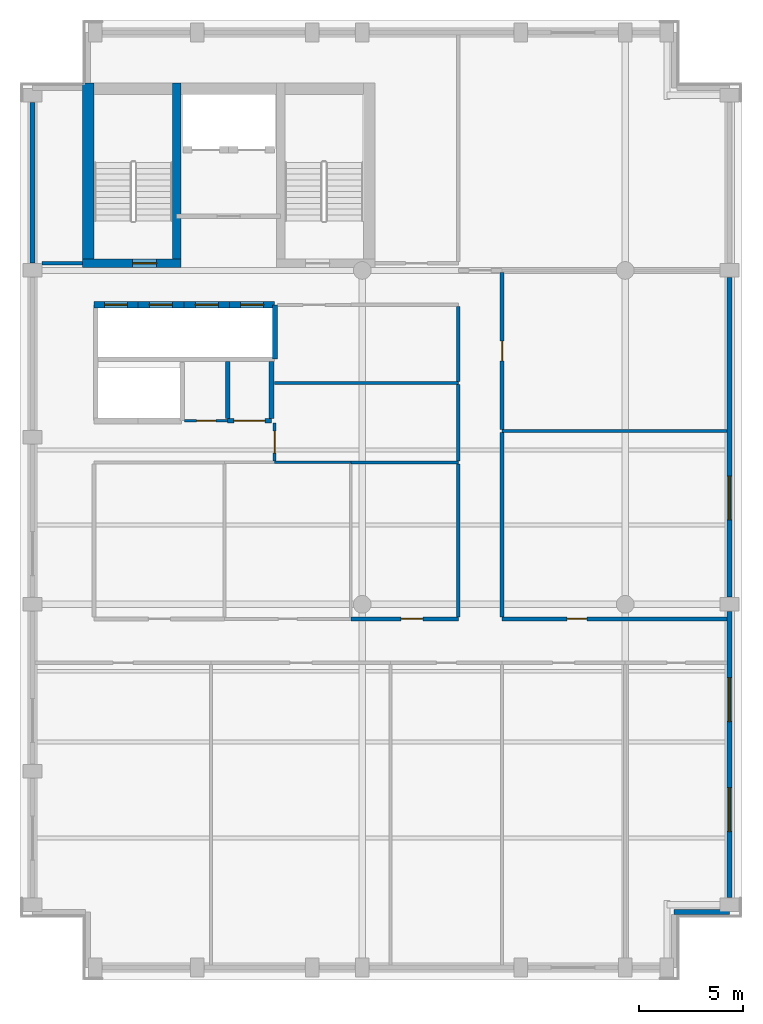
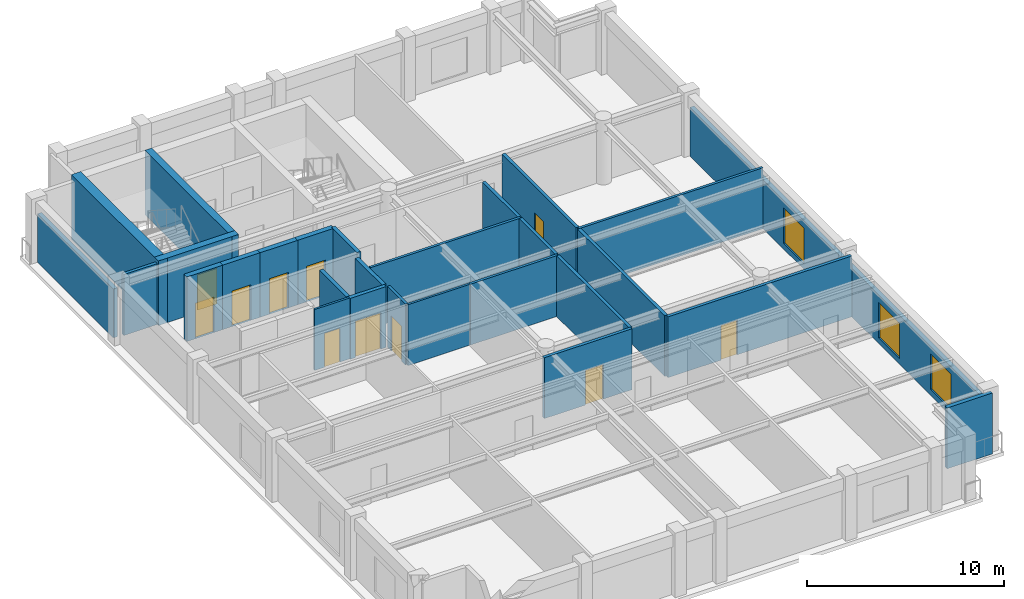
# One storey, part 3 of 6: 29 walls, 11 doors, 3 windows, 14 openings.
"""IFC4 building model written with IfcOpenShell, lengths in metres."""

from ifc_helpers import new_model, si_unit, direction, frame, frame_2d, origin, place, context, subcontext, project, spatial, rectangle, extrude, material, layer, layer_set, type_object, element, fill, save


model = new_model("IFC4")

# Units and contexts
model_context = context("Model", 3, precision=1e-05, world=origin(), true_north=direction((0.0, 1.0)))
body_context = subcontext(model_context, "Body", "Model", "MODEL_VIEW")
ifc_project = project(units=[si_unit("LENGTHUNIT", "METRE"), si_unit("AREAUNIT", "SQUARE_METRE"), si_unit("VOLUMEUNIT", "CUBIC_METRE"), si_unit("PLANEANGLEUNIT", "RADIAN"), si_unit("MASSUNIT", "GRAM", prefix="KILO")], contexts=[model_context])

# Site, building, storey
site_placement = place(None, origin())
site = spatial("IfcSite", under=ifc_project, at=site_placement, CompositionType="ELEMENT")
building_placement = place(site_placement, origin())
building = spatial("IfcBuilding", under=site, at=building_placement, Name="Sulina Concourse Tower", CompositionType="ELEMENT")
storey_placement = place(building_placement, frame((0.0, 0.0, 309.0)))
storey = spatial("IfcBuildingStorey", under=building, at=storey_placement, Name="L75", CompositionType="ELEMENT", Elevation=309.0)

# Wall
ifc_material_1 = material(Name="Concrete C50/60", Category="concrete")
ifc_layer_1 = layer(ifc_material_1, 0.219970703125)
ifc_layer_set_1 = layer_set([ifc_layer_1], Name="Concrete C50/60")
wall_type_1 = type_object("IfcWallType", Name="Core Lift Hoistway Divider Wall 220mm", PredefinedType="SOLIDWALL", material=ifc_layer_set_1)
wall_1_placement = place(storey_placement, frame((12.219970703125, 29.75, 0.0), z_axis=(0.0, 0.0, 1.0), x_axis=(0.0, 1.0, 0.0)))
element("IfcWall", 1, at=wall_1_placement, inside=storey, type_object=wall_type_1, Name="L75 shaft divider wall HW-LP3-E", PredefinedType="SOLIDWALL", context=body_context, shape_type="SweptSolid", body=[
    extrude(rectangle(XDim=2.60009765625, YDim=0.219970703125, at=frame_2d((1.300048828125, 0.0))), origin(), (0.0, 0.0, 1.0), 4.0),
])

# Wall, opening, door
ifc_material_2 = material(Name="Concrete C50/60", Category="concrete")
ifc_layer_2 = layer(ifc_material_2, 0.300048828125)
ifc_layer_set_2 = layer_set([ifc_layer_2], Name="Concrete C50/60")
wall_type_2 = type_object("IfcWallType", Name="Core Lift Hoistway Wall 300mm", PredefinedType="SOLIDWALL", material=ifc_layer_set_2)
wall_2_placement = place(storey_placement, frame((3.550048828125, 32.35009765625, 0.0), z_axis=(0.0, 0.0, 1.0), x_axis=(1.0, 0.0, 0.0)))
wall_2 = element("IfcWall", 2, at=wall_2_placement, inside=storey, type_object=wall_type_2, Name="L75 hoistway enclosure wall LP-09", PredefinedType="SOLIDWALL", context=body_context, shape_type="SweptSolid", body=[
    extrude(rectangle(XDim=2.099853515625, YDim=0.300048828125, at=frame_2d((1.0498046875, 0.0))), origin(), (0.0, 0.0, 1.0), 4.0),
])
opening_1_placement = place(wall_2_placement, frame((0.5, 0.0, 0.0)))
opening_1 = element("IfcOpeningElement", 3, at=opening_1_placement, cuts=wall_2, Name="Opening LD-01", PredefinedType="OPENING", context=body_context, shape_type="SweptSolid", body=[
    extrude(rectangle(XDim=1.10009765625, YDim=2.199951171875, at=frame_2d((0.550048828125, 1.10009765625))), frame((0.0, 0.159912109375, 0.0), z_axis=(0.0, -1.0, 0.0), x_axis=(1.0, 0.0, 0.0)), (0.0, 0.0, 1.0), 0.320068359375),
])
ifc_material_3 = material(Name="Stainless steel lift landing door", Category="steel")
ifc_layer_3 = layer(ifc_material_3, 0.050048828125)
ifc_layer_set_3 = layer_set([ifc_layer_3], Name="Stainless steel lift landing door")
door_type_1 = type_object("IfcDoorType", Name="Passenger Lift Sliding Landing Door 1100x2200", OperationType="SLIDING_TO_LEFT", PredefinedType="DOOR", material=ifc_layer_set_3)
door_1_placement = place(opening_1_placement, origin())
door_1 = element("IfcDoor", 4, at=door_1_placement, inside=storey, type_object=door_type_1, Name="L75 lift landing sliding door LP-09", OperationType="SLIDING_TO_LEFT", OverallHeight=2.199951171875, OverallWidth=1.10009765625, PredefinedType="DOOR", context=body_context, shape_type="SweptSolid", body=[
    extrude(rectangle(XDim=1.10009765625, YDim=2.199951171875, at=frame_2d((0.550048828125, 1.10009765625))), frame((0.0, 0.02490234375, 0.0), z_axis=(0.0, -1.0, 0.0), x_axis=(1.0, 0.0, 0.0)), (0.0, 0.0, 1.0), 0.050048828125),
])
fill(opening_1, door_1)

wall_3_placement = place(storey_placement, frame((5.64990234375, 32.35009765625, 0.0), z_axis=(0.0, 0.0, 1.0), x_axis=(1.0, 0.0, 0.0)))
wall_3 = element("IfcWall", 5, at=wall_3_placement, inside=storey, type_object=wall_type_2, Name="L75 hoistway enclosure wall LP-10", PredefinedType="SOLIDWALL", context=body_context, shape_type="SweptSolid", body=[
    extrude(rectangle(XDim=2.2001953125, YDim=0.300048828125, at=frame_2d((1.10009765625, 0.0))), origin(), (0.0, 0.0, 1.0), 4.0),
])
opening_2_placement = place(wall_3_placement, frame((0.550048828125, 0.0, 0.0)))
opening_2 = element("IfcOpeningElement", 6, at=opening_2_placement, cuts=wall_3, Name="Opening LD-01", PredefinedType="OPENING", context=body_context, shape_type="SweptSolid", body=[
    extrude(rectangle(XDim=1.10009765625, YDim=2.199951171875, at=frame_2d((0.550048828125, 1.10009765625))), frame((0.0, 0.159912109375, 0.0), z_axis=(0.0, -1.0, 0.0), x_axis=(1.0, 0.0, 0.0)), (0.0, 0.0, 1.0), 0.320068359375),
])
door_2_placement = place(opening_2_placement, origin())
door_2 = element("IfcDoor", 7, at=door_2_placement, inside=storey, type_object=door_type_1, Name="L75 lift landing sliding door LP-10", OperationType="SLIDING_TO_RIGHT", OverallHeight=2.199951171875, OverallWidth=1.10009765625, PredefinedType="DOOR", context=body_context, shape_type="SweptSolid", body=[
    extrude(rectangle(XDim=1.10009765625, YDim=2.199951171875, at=frame_2d((0.550048828125, 1.10009765625))), frame((0.0, 0.02490234375, 0.0), z_axis=(0.0, -1.0, 0.0), x_axis=(1.0, 0.0, 0.0)), (0.0, 0.0, 1.0), 0.050048828125),
])
fill(opening_2, door_2)

wall_4_placement = place(storey_placement, frame((7.85009765625, 32.35009765625, 0.0), z_axis=(0.0, 0.0, 1.0), x_axis=(1.0, 0.0, 0.0)))
wall_4 = element("IfcWall", 8, at=wall_4_placement, inside=storey, type_object=wall_type_2, Name="L75 hoistway enclosure wall LP-11", PredefinedType="SOLIDWALL", context=body_context, shape_type="SweptSolid", body=[
    extrude(rectangle(XDim=2.199951171875, YDim=0.300048828125, at=frame_2d((1.10009765625, 0.0))), origin(), (0.0, 0.0, 1.0), 4.0),
])
opening_3_placement = place(wall_4_placement, frame((0.550048828125, 0.0, 0.0)))
opening_3 = element("IfcOpeningElement", 9, at=opening_3_placement, cuts=wall_4, Name="Opening LD-01", PredefinedType="OPENING", context=body_context, shape_type="SweptSolid", body=[
    extrude(rectangle(XDim=1.10009765625, YDim=2.199951171875, at=frame_2d((0.550048828125, 1.10009765625))), frame((0.0, 0.159912109375, 0.0), z_axis=(0.0, -1.0, 0.0), x_axis=(1.0, 0.0, 0.0)), (0.0, 0.0, 1.0), 0.320068359375),
])
door_3_placement = place(opening_3_placement, origin())
door_3 = element("IfcDoor", 10, at=door_3_placement, inside=storey, type_object=door_type_1, Name="L75 lift landing sliding door LP-11", OperationType="SLIDING_TO_LEFT", OverallHeight=2.199951171875, OverallWidth=1.10009765625, PredefinedType="DOOR", context=body_context, shape_type="SweptSolid", body=[
    extrude(rectangle(XDim=1.10009765625, YDim=2.199951171875, at=frame_2d((0.550048828125, 1.10009765625))), frame((0.0, 0.02490234375, 0.0), z_axis=(0.0, -1.0, 0.0), x_axis=(1.0, 0.0, 0.0)), (0.0, 0.0, 1.0), 0.050048828125),
])
fill(opening_3, door_3)

wall_5_placement = place(storey_placement, frame((10.050048828125, 32.35009765625, 0.0), z_axis=(0.0, 0.0, 1.0), x_axis=(1.0, 0.0, 0.0)))
wall_5 = element("IfcWall", 11, at=wall_5_placement, inside=storey, type_object=wall_type_2, Name="L75 hoistway enclosure wall LP-12", PredefinedType="SOLIDWALL", context=body_context, shape_type="SweptSolid", body=[
    extrude(rectangle(XDim=2.14990234375, YDim=0.300048828125, at=frame_2d((1.074951171875, 0.0))), origin(), (0.0, 0.0, 1.0), 4.0),
])
opening_4_placement = place(wall_5_placement, frame((0.52490234375, 0.0, 0.0)))
opening_4 = element("IfcOpeningElement", 12, at=opening_4_placement, cuts=wall_5, Name="Opening LD-01", PredefinedType="OPENING", context=body_context, shape_type="SweptSolid", body=[
    extrude(rectangle(XDim=1.10009765625, YDim=2.199951171875, at=frame_2d((0.550048828125, 1.10009765625))), frame((0.0, 0.159912109375, 0.0), z_axis=(0.0, -1.0, 0.0), x_axis=(1.0, 0.0, 0.0)), (0.0, 0.0, 1.0), 0.320068359375),
])
door_4_placement = place(opening_4_placement, origin())
door_4 = element("IfcDoor", 13, at=door_4_placement, inside=storey, type_object=door_type_1, Name="L75 lift landing sliding door LP-12", OperationType="SLIDING_TO_RIGHT", OverallHeight=2.199951171875, OverallWidth=1.10009765625, PredefinedType="DOOR", context=body_context, shape_type="SweptSolid", body=[
    extrude(rectangle(XDim=1.10009765625, YDim=2.199951171875, at=frame_2d((0.550048828125, 1.10009765625))), frame((0.0, 0.02490234375, 0.0), z_axis=(0.0, -1.0, 0.0), x_axis=(1.0, 0.0, 0.0)), (0.0, 0.0, 1.0), 0.050048828125),
])
fill(opening_4, door_4)

# Wall
ifc_material_4 = material(Name="Precast concrete C50/60", Category="concrete")
ifc_layer_4 = layer(ifc_material_4, 0.239990234375)
ifc_layer_set_4 = layer_set([ifc_layer_4], Name="Precast concrete C50/60")
wall_type_3 = type_object("IfcWallType", Name="Crown Precast Masonry-Frame Facade Wall 240mm", PredefinedType="SOLIDWALL", material=ifc_layer_set_4)
wall_6_placement = place(storey_placement, frame((0.60009765625, 34.344970703125, 0.0), z_axis=(0.0, 0.0, 1.0), x_axis=(0.0, 1.0, 0.0)))
element("IfcWall", 14, at=wall_6_placement, inside=storey, type_object=wall_type_3, Name="L75 exterior precast wall W5", PredefinedType="SOLIDWALL", context=body_context, shape_type="SweptSolid", body=[
    extrude(rectangle(XDim=7.7099609375, YDim=0.239990234375, at=frame_2d((3.85498046875, 0.0))), origin(), (0.0, 0.0, 1.0), 3.02490234375),
])

# Wall, openings, windows
wall_7_placement = place(storey_placement, frame((34.0, 17.655029296875, 0.0), z_axis=(0.0, 0.0, 1.0), x_axis=(0.0, -1.0, 0.0)))
wall_7 = element("IfcWall", 15, at=wall_7_placement, inside=storey, type_object=wall_type_3, Name="L75 exterior precast wall E1", PredefinedType="SOLIDWALL", context=body_context, shape_type="SweptSolid", body=[
    extrude(rectangle(XDim=13.7099609375, YDim=0.239990234375, at=frame_2d((6.85498046875, 0.0))), origin(), (0.0, 0.0, 1.0), 3.02490234375),
])
opening_5_placement = place(wall_7_placement, frame((3.169921875, 0.0, 0.35009765625)))
opening_5 = element("IfcOpeningElement", 16, at=opening_5_placement, cuts=wall_7, Name="Opening WN-33", PredefinedType="OPENING", context=body_context, shape_type="SweptSolid", body=[
    extrude(rectangle(XDim=2.10009765625, YDim=2.199951171875, at=frame_2d((1.050048828125, 1.10009765625))), frame((0.0, 0.1298828125, 0.0), z_axis=(0.0, -1.0, 0.0), x_axis=(1.0, 0.0, 0.0)), (0.0, 0.0, 1.0), 0.260009765625),
])
opening_6_placement = place(wall_7_placement, frame((8.43994140625, 0.0, 0.35009765625)))
opening_6 = element("IfcOpeningElement", 17, at=opening_6_placement, cuts=wall_7, Name="Opening WN-33", PredefinedType="OPENING", context=body_context, shape_type="SweptSolid", body=[
    extrude(rectangle(XDim=2.10009765625, YDim=2.199951171875, at=frame_2d((1.050048828125, 1.10009765625))), frame((0.0, 0.1298828125, 0.0), z_axis=(0.0, -1.0, 0.0), x_axis=(1.0, 0.0, 0.0)), (0.0, 0.0, 1.0), 0.260009765625),
])
ifc_material_5 = material(Name="Low-E solar double glazing in bronze aluminium", Category="aluminium")
window_type = type_object("IfcWindowType", Name="Punched Masonry-Frame Window 2100x2200", PartitioningType="DOUBLE_PANEL_VERTICAL", PredefinedType="WINDOW", material=ifc_material_5)
window_1_placement = place(opening_5_placement, origin())
window_1 = element("IfcWindow", 18, at=window_1_placement, inside=storey, type_object=window_type, Name="L75 punched window E1-1", OverallHeight=2.199951171875, OverallWidth=2.10009765625, PartitioningType="SINGLE_PANEL", PredefinedType="WINDOW", context=body_context, shape_type="SweptSolid", body=[
    extrude(rectangle(XDim=2.10009765625, YDim=2.199951171875, at=frame_2d((1.050048828125, 1.10009765625))), frame((0.0, 0.030029296875, 0.0), z_axis=(0.0, -1.0, 0.0), x_axis=(1.0, 0.0, 0.0)), (0.0, 0.0, 1.0), 0.06005859375),
])
fill(opening_5, window_1)
window_2_placement = place(opening_6_placement, origin())
window_2 = element("IfcWindow", 19, at=window_2_placement, inside=storey, type_object=window_type, Name="L75 punched window E1-2", OverallHeight=2.199951171875, OverallWidth=2.10009765625, PartitioningType="SINGLE_PANEL", PredefinedType="WINDOW", context=body_context, shape_type="SweptSolid", body=[
    extrude(rectangle(XDim=2.10009765625, YDim=2.199951171875, at=frame_2d((1.050048828125, 1.10009765625))), frame((0.0, 0.030029296875, 0.0), z_axis=(0.0, -1.0, 0.0), x_axis=(1.0, 0.0, 0.0)), (0.0, 0.0, 1.0), 0.06005859375),
])
fill(opening_6, window_2)

# Wall, opening, window
wall_8_placement = place(storey_placement, frame((34.0, 33.655029296875, 0.0), z_axis=(0.0, 0.0, 1.0), x_axis=(0.0, -1.0, 0.0)))
wall_8 = element("IfcWall", 20, at=wall_8_placement, inside=storey, type_object=wall_type_3, Name="L75 exterior precast wall E2", PredefinedType="SOLIDWALL", context=body_context, shape_type="SweptSolid", body=[
    extrude(rectangle(XDim=15.31005859375, YDim=0.239990234375, at=frame_2d((7.655029296875, 0.0))), origin(), (0.0, 0.0, 1.0), 3.02490234375),
])
opening_7_placement = place(wall_8_placement, frame((9.506591796875, 0.0, 0.35009765625)))
opening_7 = element("IfcOpeningElement", 21, at=opening_7_placement, cuts=wall_8, Name="Opening WN-33", PredefinedType="OPENING", context=body_context, shape_type="SweptSolid", body=[
    extrude(rectangle(XDim=2.10009765625, YDim=2.199951171875, at=frame_2d((1.050048828125, 1.10009765625))), frame((0.0, 0.1298828125, 0.0), z_axis=(0.0, -1.0, 0.0), x_axis=(1.0, 0.0, 0.0)), (0.0, 0.0, 1.0), 0.260009765625),
])
window_3_placement = place(opening_7_placement, origin())
window_3 = element("IfcWindow", 22, at=window_3_placement, inside=storey, type_object=window_type, Name="L75 punched window E2-1", OverallHeight=2.199951171875, OverallWidth=2.10009765625, PartitioningType="SINGLE_PANEL", PredefinedType="WINDOW", context=body_context, shape_type="SweptSolid", body=[
    extrude(rectangle(XDim=2.10009765625, YDim=2.199951171875, at=frame_2d((1.050048828125, 1.10009765625))), frame((0.0, 0.030029296875, 0.0), z_axis=(0.0, -1.0, 0.0), x_axis=(1.0, 0.0, 0.0)), (0.0, 0.0, 1.0), 0.06005859375),
])
fill(opening_7, window_3)

# Wall
wall_9_placement = place(storey_placement, frame((34.0, 3.2548828125, 0.0), z_axis=(0.0, 0.0, 1.0), x_axis=(-1.0, 0.0, 0.0)))
element("IfcWall", 23, at=wall_9_placement, inside=storey, type_object=wall_type_3, Name="L75 exterior precast wall CSE1", PredefinedType="SOLIDWALL", context=body_context, shape_type="SweptSolid", body=[
    extrude(rectangle(XDim=2.655029296875, YDim=0.239990234375, at=frame_2d((1.32763671875, 0.0))), origin(), (0.0, 0.0, 1.0), 3.77490234375),
])

# Wall, opening, door
ifc_material_6 = material(Name="Gypsum board on steel stud", Category="steel")
ifc_layer_5 = layer(ifc_material_6, 0.219970703125)
ifc_layer_set_5 = layer_set([ifc_layer_5], Name="Gypsum board on steel stud")
wall_type_4 = type_object("IfcWallType", Name="Fire-Rated Lobby & Compartment Wall 220mm", PredefinedType="PARTITIONING", material=ifc_layer_set_5)
wall_10_placement = place(storey_placement, frame((9.949951171875, 26.800048828125, 0.0), z_axis=(0.0, 0.0, 1.0), x_axis=(1.0, 0.0, 0.0)))
wall_10 = element("IfcWall", 24, at=wall_10_placement, inside=storey, type_object=wall_type_4, Name="L75 interior partition 016", PredefinedType="PARTITIONING", context=body_context, shape_type="SweptSolid", body=[
    extrude(rectangle(XDim=2.10009765625, YDim=0.219970703125, at=frame_2d((1.050048828125, 0.0))), origin(), (0.0, 0.0, 1.0), 3.77490234375),
])
opening_8_placement = place(wall_10_placement, frame((0.300048828125, 0.0, 0.0)))
opening_8 = element("IfcOpeningElement", 25, at=opening_8_placement, cuts=wall_10, Name="Opening DR-80", PredefinedType="OPENING", context=body_context, shape_type="SweptSolid", body=[
    extrude(rectangle(XDim=1.5, YDim=2.25, at=frame_2d((0.75, 1.125))), frame((0.0, 0.119873046875, 0.0), z_axis=(0.0, -1.0, 0.0), x_axis=(1.0, 0.0, 0.0)), (0.0, 0.0, 1.0), 0.239990234375),
])
ifc_material_7 = material(Name="Galvanised steel acoustic fire leaf", Category="steel")
ifc_layer_6 = layer(ifc_material_7, 0.054931640625)
ifc_layer_set_6 = layer_set([ifc_layer_6], Name="Galvanised steel acoustic fire leaf")
door_type_2 = type_object("IfcDoorType", Name="Mechanical Plant Double Fire Door 1500x2250", OperationType="DOUBLE_DOOR_SINGLE_SWING", PredefinedType="DOOR", material=ifc_layer_set_6)
door_5_placement = place(opening_8_placement, origin())
door_5 = element("IfcDoor", 26, at=door_5_placement, inside=storey, type_object=door_type_2, Name="L75 interior door L75-IT-IDF", OperationType="DOUBLE_DOOR_SINGLE_SWING", OverallHeight=2.25, OverallWidth=1.5, PredefinedType="DOOR", context=body_context, shape_type="SweptSolid", body=[
    extrude(rectangle(XDim=1.5, YDim=2.25, at=frame_2d((0.75, 1.125))), frame((0.0, 0.02490234375, 0.0), z_axis=(0.0, -1.0, 0.0), x_axis=(1.0, 0.0, 0.0)), (0.0, 0.0, 1.0), 0.050048828125),
])
fill(opening_8, door_5)

# Walls
for number, where, z_axis, x_axis, name in (
    (27, (9.949951171875, 26.909912109375, 0.0), (0.0, 0.0, 1.0), (0.0, 1.0, 0.0), "L75 interior partition 028"),
    (28, (12.050048828125, 26.909912109375, 0.0), (0.0, 0.0, 1.0), (0.0, 1.0, 0.0), "L75 interior partition 029"),
):
    element("IfcWall", number, at=place(storey_placement, frame(where, z_axis=z_axis, x_axis=x_axis)), inside=storey, type_object=wall_type_4, Name=name, PredefinedType="PARTITIONING", context=body_context, shape_type="SweptSolid", body=[
        extrude(rectangle(XDim=2.72998046875, YDim=0.219970703125, at=frame_2d((1.364990234375, 0.0))), origin(), (0.0, 0.0, 1.0), 3.77490234375),
    ])
ifc_material_8 = material(Name="Gypsum board on steel stud", Category="steel")
ifc_layer_7 = layer(ifc_material_8, 0.14990234375)
ifc_layer_set_7 = layer_set([ifc_layer_7], Name="Gypsum board on steel stud")
wall_type_5 = type_object("IfcWallType", Name="Inter-Tenancy Acoustic Partition 150mm", PredefinedType="PARTITIONING", material=ifc_layer_set_7)
wall_11_placement = place(storey_placement, frame((15.85009765625, 24.800048828125, 0.0), z_axis=(0.0, 0.0, 1.0), x_axis=(1.0, 0.0, 0.0)))
element("IfcWall", 29, at=wall_11_placement, inside=storey, type_object=wall_type_5, Name="L75 interior partition 013", PredefinedType="PARTITIONING", context=body_context, shape_type="SweptSolid", body=[
    extrude(rectangle(XDim=5.14990234375, YDim=0.14990234375, at=frame_2d((2.574951171875, 0.0))), origin(), (0.0, 0.0, 1.0), 3.77490234375),
])
wall_12_placement = place(storey_placement, frame((23.10009765625, 26.300048828125, 0.0), z_axis=(0.0, 0.0, 1.0), x_axis=(1.0, 0.0, 0.0)))
element("IfcWall", 30, at=wall_12_placement, inside=storey, type_object=wall_type_5, Name="L75 interior partition 014", PredefinedType="PARTITIONING", context=body_context, shape_type="SweptSolid", body=[
    extrude(rectangle(XDim=10.77978515625, YDim=0.14990234375, at=frame_2d((5.389892578125, 0.0))), origin(), (0.0, 0.0, 1.0), 3.77490234375),
])
wall_13_placement = place(storey_placement, frame((12.199951171875, 28.60009765625, 0.0), z_axis=(0.0, 0.0, 1.0), x_axis=(1.0, 0.0, 0.0)))
element("IfcWall", 31, at=wall_13_placement, inside=storey, type_object=wall_type_5, Name="L75 interior partition 017", PredefinedType="PARTITIONING", context=body_context, shape_type="SweptSolid", body=[
    extrude(rectangle(XDim=8.800048828125, YDim=0.14990234375, at=frame_2d((4.39990234375, 0.0))), origin(), (0.0, 0.0, 1.0), 3.77490234375),
])

# Wall, opening, door
wall_14_placement = place(storey_placement, frame((12.199951171875, 24.862548828125, 0.0), z_axis=(0.0, 0.0, 1.0), x_axis=(0.0, 1.0, 0.0)))
wall_14 = element("IfcWall", 32, at=wall_14_placement, inside=storey, type_object=wall_type_5, Name="L75 interior partition 030", PredefinedType="PARTITIONING", context=body_context, shape_type="SweptSolid", body=[
    extrude(rectangle(XDim=1.827392578125, YDim=0.14990234375, at=frame_2d((0.91357421875, 0.0))), origin(), (0.0, 0.0, 1.0), 3.77490234375),
])
opening_9_placement = place(wall_14_placement, frame((0.388916015625, 0.0, 0.0)))
opening_9 = element("IfcOpeningElement", 33, at=opening_9_placement, cuts=wall_14, Name="Opening DR-37", PredefinedType="OPENING", context=body_context, shape_type="SweptSolid", body=[
    extrude(rectangle(XDim=1.050048828125, YDim=2.14990234375, at=frame_2d((0.52490234375, 1.074951171875))), frame((0.0, 0.0849609375, 0.0), z_axis=(0.0, -1.0, 0.0), x_axis=(1.0, 0.0, 0.0)), (0.0, 0.0, 1.0), 0.169921875),
])
ifc_material_9 = material(Name="Oak-veneered fire door leaf")
ifc_layer_8 = layer(ifc_material_9, 0.050048828125)
ifc_layer_set_8 = layer_set([ifc_layer_8], Name="Oak-veneered fire door leaf")
door_type_3 = type_object("IfcDoorType", Name="Tenant Suite Entrance Fire Door 1050x2150", OperationType="NOTDEFINED", PredefinedType="DOOR", material=ifc_layer_set_8)
door_6_placement = place(opening_9_placement, origin())
door_6 = element("IfcDoor", 34, at=door_6_placement, inside=storey, type_object=door_type_3, Name="L75 interior door L75-MR-MRG1", OperationType="SINGLE_SWING_RIGHT", OverallHeight=2.14990234375, OverallWidth=1.050048828125, PredefinedType="DOOR", context=body_context, shape_type="SweptSolid", body=[
    extrude(rectangle(XDim=1.050048828125, YDim=2.14990234375, at=frame_2d((0.52490234375, 1.074951171875))), frame((0.0, 0.02490234375, 0.0), z_axis=(0.0, -1.0, 0.0), x_axis=(1.0, 0.0, 0.0)), (0.0, 0.0, 1.0), 0.050048828125),
])
fill(opening_9, door_6)

ifc_material_10 = material(Name="Gypsum board on steel stud", Category="steel")
ifc_layer_9 = layer(ifc_material_10, 0.179931640625)
ifc_layer_set_9 = layer_set([ifc_layer_9], Name="Gypsum board on steel stud")
wall_type_6 = type_object("IfcWallType", Name="Protected Corridor & Riser Partition 180mm", PredefinedType="PARTITIONING", material=ifc_layer_set_9)
wall_15_placement = place(storey_placement, frame((15.85009765625, 17.300048828125, 0.0), z_axis=(0.0, 0.0, 1.0), x_axis=(1.0, 0.0, 0.0)))
wall_15 = element("IfcWall", 35, at=wall_15_placement, inside=storey, type_object=wall_type_6, Name="L75 interior partition 008", PredefinedType="PARTITIONING", context=body_context, shape_type="SweptSolid", body=[
    extrude(rectangle(XDim=5.14990234375, YDim=0.179931640625, at=frame_2d((2.574951171875, 0.0))), origin(), (0.0, 0.0, 1.0), 3.77490234375),
])
opening_10_placement = place(wall_15_placement, frame((2.409912109375, 0.0, 0.0)))
opening_10 = element("IfcOpeningElement", 36, at=opening_10_placement, cuts=wall_15, Name="Opening DR-37", PredefinedType="OPENING", context=body_context, shape_type="SweptSolid", body=[
    extrude(rectangle(XDim=1.050048828125, YDim=2.14990234375, at=frame_2d((0.52490234375, 1.074951171875))), frame((0.0, 0.099853515625, 0.0), z_axis=(0.0, -1.0, 0.0), x_axis=(1.0, 0.0, 0.0)), (0.0, 0.0, 1.0), 0.199951171875),
])
door_7_placement = place(opening_10_placement, origin())
door_7 = element("IfcDoor", 37, at=door_7_placement, inside=storey, type_object=door_type_3, Name="L75 interior door L75-CR-PKW", OperationType="SINGLE_SWING_RIGHT", OverallHeight=2.14990234375, OverallWidth=1.050048828125, PredefinedType="DOOR", context=body_context, shape_type="SweptSolid", body=[
    extrude(rectangle(XDim=1.050048828125, YDim=2.14990234375, at=frame_2d((0.52490234375, 1.074951171875))), frame((0.0, 0.02490234375, 0.0), z_axis=(0.0, -1.0, 0.0), x_axis=(1.0, 0.0, 0.0)), (0.0, 0.0, 1.0), 0.050048828125),
])
fill(opening_10, door_7)

wall_16_placement = place(storey_placement, frame((23.10009765625, 17.300048828125, 0.0), z_axis=(0.0, 0.0, 1.0), x_axis=(1.0, 0.0, 0.0)))
wall_16 = element("IfcWall", 38, at=wall_16_placement, inside=storey, type_object=wall_type_6, Name="L75 interior partition 009", PredefinedType="PARTITIONING", context=body_context, shape_type="SweptSolid", body=[
    extrude(rectangle(XDim=10.77978515625, YDim=0.179931640625, at=frame_2d((5.389892578125, 0.0))), origin(), (0.0, 0.0, 1.0), 3.77490234375),
])
opening_11_placement = place(wall_16_placement, frame((3.114990234375, 0.0, 0.0)))
opening_11 = element("IfcOpeningElement", 39, at=opening_11_placement, cuts=wall_16, Name="Opening DR-19", PredefinedType="OPENING", context=body_context, shape_type="SweptSolid", body=[
    extrude(rectangle(XDim=0.949951171875, YDim=2.14990234375, at=frame_2d((0.47509765625, 1.074951171875))), frame((0.0, 0.099853515625, 0.0), z_axis=(0.0, -1.0, 0.0), x_axis=(1.0, 0.0, 0.0)), (0.0, 0.0, 1.0), 0.199951171875),
])
ifc_material_11 = material(Name="Oak-veneered acoustic timber leaf", Category="wood")
ifc_layer_10 = layer(ifc_material_11, 0.050048828125)
ifc_layer_set_10 = layer_set([ifc_layer_10], Name="Oak-veneered acoustic timber leaf")
door_type_4 = type_object("IfcDoorType", Name="Cellular Office & Meeting Door 950x2150", OperationType="NOTDEFINED", PredefinedType="DOOR", material=ifc_layer_set_10)
door_8_placement = place(opening_11_placement, origin())
door_8 = element("IfcDoor", 40, at=door_8_placement, inside=storey, type_object=door_type_4, Name="L75 interior door L75-CR-E1", OperationType="SINGLE_SWING_LEFT", OverallHeight=2.14990234375, OverallWidth=0.949951171875, PredefinedType="DOOR", context=body_context, shape_type="SweptSolid", body=[
    extrude(rectangle(XDim=0.949951171875, YDim=2.14990234375, at=frame_2d((0.47509765625, 1.074951171875))), frame((0.0, 0.02490234375, 0.0), z_axis=(0.0, -1.0, 0.0), x_axis=(1.0, 0.0, 0.0)), (0.0, 0.0, 1.0), 0.050048828125),
])
fill(opening_11, door_8)

# Walls
wall_17_placement = place(storey_placement, frame((1.050048828125, 34.35009765625, 0.0), z_axis=(0.0, 0.0, 1.0), x_axis=(1.0, 0.0, 0.0)))
element("IfcWall", 41, at=wall_17_placement, inside=storey, type_object=wall_type_6, Name="L75 interior partition 023", PredefinedType="PARTITIONING", context=body_context, shape_type="SweptSolid", body=[
    extrude(rectangle(XDim=1.949951171875, YDim=0.179931640625, at=frame_2d((0.97509765625, 0.0))), origin(), (0.0, 0.0, 1.0), 3.77490234375),
])
wall_18_placement = place(storey_placement, frame((21.0, 17.389892578125, 0.0), z_axis=(0.0, 0.0, 1.0), x_axis=(0.0, 1.0, 0.0)))
element("IfcWall", 42, at=wall_18_placement, inside=storey, type_object=wall_type_6, Name="L75 interior partition 033", PredefinedType="PARTITIONING", context=body_context, shape_type="SweptSolid", body=[
    extrude(rectangle(XDim=7.335205078125, YDim=0.179931640625, at=frame_2d((3.66748046875, 0.0))), origin(), (0.0, 0.0, 1.0), 3.77490234375),
])
wall_19_placement = place(storey_placement, frame((21.0, 24.875, 0.0), z_axis=(0.0, 0.0, 1.0), x_axis=(0.0, 1.0, 0.0)))
element("IfcWall", 43, at=wall_19_placement, inside=storey, type_object=wall_type_6, Name="L75 interior partition 034", PredefinedType="PARTITIONING", context=body_context, shape_type="SweptSolid", body=[
    extrude(rectangle(XDim=3.64990234375, YDim=0.179931640625, at=frame_2d((1.824951171875, 0.0))), origin(), (0.0, 0.0, 1.0), 3.77490234375),
])
wall_20_placement = place(storey_placement, frame((21.0, 28.675048828125, 0.0), z_axis=(0.0, 0.0, 1.0), x_axis=(0.0, 1.0, 0.0)))
element("IfcWall", 44, at=wall_20_placement, inside=storey, type_object=wall_type_6, Name="L75 interior partition 035", PredefinedType="PARTITIONING", context=body_context, shape_type="SweptSolid", body=[
    extrude(rectangle(XDim=3.5849609375, YDim=0.179931640625, at=frame_2d((1.79248046875, 0.0))), origin(), (0.0, 0.0, 1.0), 3.77490234375),
])
wall_21_placement = place(storey_placement, frame((23.10009765625, 17.389892578125, 0.0), z_axis=(0.0, 0.0, 1.0), x_axis=(0.0, 1.0, 0.0)))
element("IfcWall", 45, at=wall_21_placement, inside=storey, type_object=wall_type_6, Name="L75 interior partition 038", PredefinedType="PARTITIONING", context=body_context, shape_type="SweptSolid", body=[
    extrude(rectangle(XDim=8.835205078125, YDim=0.179931640625, at=frame_2d((4.41748046875, 0.0))), origin(), (0.0, 0.0, 1.0), 3.77490234375),
])

# Wall, opening, door
wall_22_placement = place(storey_placement, frame((23.10009765625, 26.375, 0.0), z_axis=(0.0, 0.0, 1.0), x_axis=(0.0, 1.0, 0.0)))
wall_22 = element("IfcWall", 46, at=wall_22_placement, inside=storey, type_object=wall_type_6, Name="L75 interior partition 039", PredefinedType="PARTITIONING", context=body_context, shape_type="SweptSolid", body=[
    extrude(rectangle(XDim=7.534912109375, YDim=0.179931640625, at=frame_2d((3.767578125, 0.0))), origin(), (0.0, 0.0, 1.0), 3.77490234375),
])
opening_12_placement = place(wall_22_placement, frame((3.29248046875, 0.0, 0.0)))
opening_12 = element("IfcOpeningElement", 47, at=opening_12_placement, cuts=wall_22, Name="Opening DR-19", PredefinedType="OPENING", context=body_context, shape_type="SweptSolid", body=[
    extrude(rectangle(XDim=0.949951171875, YDim=2.14990234375, at=frame_2d((0.47509765625, 1.074951171875))), frame((0.0, 0.099853515625, 0.0), z_axis=(0.0, -1.0, 0.0), x_axis=(1.0, 0.0, 0.0)), (0.0, 0.0, 1.0), 0.199951171875),
])
door_9_placement = place(opening_12_placement, origin())
door_9 = element("IfcDoor", 48, at=door_9_placement, inside=storey, type_object=door_type_4, Name="L75 interior door L75-CR-E2", OperationType="SINGLE_SWING_LEFT", OverallHeight=2.14990234375, OverallWidth=0.949951171875, PredefinedType="DOOR", context=body_context, shape_type="SweptSolid", body=[
    extrude(rectangle(XDim=0.949951171875, YDim=2.14990234375, at=frame_2d((0.47509765625, 1.074951171875))), frame((0.0, 0.02490234375, 0.0), z_axis=(0.0, -1.0, 0.0), x_axis=(1.0, 0.0, 0.0)), (0.0, 0.0, 1.0), 0.050048828125),
])
fill(opening_12, door_9)

ifc_material_12 = material(Name="Concrete C60/75", Category="concrete")
ifc_layer_11 = layer(ifc_material_12, 0.39990234375)
ifc_layer_set_11 = layer_set([ifc_layer_11], Name="Concrete C60/75")
wall_type_7 = type_object("IfcWallType", Name="Protected Stair Core Shear Wall 400mm", PredefinedType="SHEAR", material=ifc_layer_set_11)
wall_23_placement = place(storey_placement, frame((3.0, 34.35009765625, 0.0), z_axis=(0.0, 0.0, 1.0), x_axis=(1.0, 0.0, 0.0)))
wall_23 = element("IfcWall", 49, at=wall_23_placement, inside=storey, type_object=wall_type_7, Name="L75 west core shear wall CW-WS1", PredefinedType="SHEAR", context=body_context, shape_type="SweptSolid", body=[
    extrude(rectangle(XDim=4.7099609375, YDim=0.39990234375, at=frame_2d((2.35498046875, 0.0))), origin(), (0.0, 0.0, 1.0), 4.0),
])
opening_13_placement = place(wall_23_placement, frame((2.39990234375, 0.0, 0.0)))
opening_13 = element("IfcOpeningElement", 50, at=opening_13_placement, cuts=wall_23, Name="Opening DR-60", PredefinedType="OPENING", context=body_context, shape_type="SweptSolid", body=[
    extrude(rectangle(XDim=1.14990234375, YDim=2.199951171875, at=frame_2d((0.574951171875, 1.10009765625))), frame((0.0, 0.2099609375, 0.0), z_axis=(0.0, -1.0, 0.0), x_axis=(1.0, 0.0, 0.0)), (0.0, 0.0, 1.0), 0.419921875),
])
ifc_material_13 = material(Name="Galvanised steel acoustic fire leaf", Category="steel")
ifc_layer_12 = layer(ifc_material_13, 0.054931640625)
ifc_layer_set_12 = layer_set([ifc_layer_12], Name="Galvanised steel acoustic fire leaf")
door_type_5 = type_object("IfcDoorType", Name="Protected Exit Stair Fire Door 1150x2200", OperationType="NOTDEFINED", PredefinedType="DOOR", material=ifc_layer_set_12)
door_10_placement = place(opening_13_placement, origin())
door_10 = element("IfcDoor", 51, at=door_10_placement, inside=storey, type_object=door_type_5, Name="L75 stair ST-1 lobby fire door", OperationType="SINGLE_SWING_RIGHT", OverallHeight=2.199951171875, OverallWidth=1.14990234375, PredefinedType="DOOR", context=body_context, shape_type="SweptSolid", body=[
    extrude(rectangle(XDim=1.14990234375, YDim=2.199951171875, at=frame_2d((0.574951171875, 1.10009765625))), frame((0.0, 0.02490234375, 0.0), z_axis=(0.0, -1.0, 0.0), x_axis=(1.0, 0.0, 0.0)), (0.0, 0.0, 1.0), 0.050048828125),
])
fill(opening_13, door_10)

# Walls
wall_24_placement = place(storey_placement, frame((7.510009765625, 34.14990234375, 0.0), z_axis=(0.0, 0.0, 1.0), x_axis=(0.0, 1.0, 0.0)))
element("IfcWall", 52, at=wall_24_placement, inside=storey, type_object=wall_type_7, Name="L75 west core shear wall SW-ST1", PredefinedType="SHEAR", context=body_context, shape_type="SweptSolid", body=[
    extrude(rectangle(XDim=8.830078125, YDim=0.39990234375, at=frame_2d((4.4150390625, 0.0))), origin(), (0.0, 0.0, 1.0), 4.0),
])
ifc_material_14 = material(Name="Concrete C50/60", Category="concrete")
ifc_layer_13 = layer(ifc_material_14, 0.550048828125)
ifc_layer_set_13 = layer_set([ifc_layer_13], Name="Concrete C50/60")
wall_type_8 = type_object("IfcWallType", Name="Upper Core Shear Wall 550mm", PredefinedType="SHEAR", material=ifc_layer_set_13)
wall_25_placement = place(storey_placement, frame((3.27490234375, 34.14990234375, 0.0), z_axis=(0.0, 0.0, 1.0), x_axis=(0.0, 1.0, 0.0)))
element("IfcWall", 53, at=wall_25_placement, inside=storey, type_object=wall_type_8, Name="L75 west core shear wall CW-WW", PredefinedType="SHEAR", context=body_context, shape_type="SweptSolid", body=[
    extrude(rectangle(XDim=8.830078125, YDim=0.550048828125, at=frame_2d((4.4150390625, 0.0))), origin(), (0.0, 0.0, 1.0), 4.0),
])
ifc_material_15 = material(Name="Gypsum board on steel stud", Category="steel")
ifc_layer_14 = layer(ifc_material_15, 0.125)
ifc_layer_set_14 = layer_set([ifc_layer_14], Name="Gypsum board on steel stud")
wall_type_9 = type_object("IfcWallType", Name="Wet-Area Moisture-Resistant Partition 125mm", PredefinedType="PARTITIONING", material=ifc_layer_set_14)
wall_26_placement = place(storey_placement, frame((12.199951171875, 24.800048828125, 0.0), z_axis=(0.0, 0.0, 1.0), x_axis=(1.0, 0.0, 0.0)))
element("IfcWall", 54, at=wall_26_placement, inside=storey, type_object=wall_type_9, Name="L75 interior partition 012", PredefinedType="PARTITIONING", context=body_context, shape_type="SweptSolid", body=[
    extrude(rectangle(XDim=3.650146484375, YDim=0.125, at=frame_2d((1.8251953125, 0.0))), origin(), (0.0, 0.0, 1.0), 3.77490234375),
])

# Wall, opening, door
wall_27_placement = place(storey_placement, frame((7.889892578125, 26.800048828125, 0.0), z_axis=(0.0, 0.0, 1.0), x_axis=(1.0, 0.0, 0.0)))
wall_27 = element("IfcWall", 55, at=wall_27_placement, inside=storey, type_object=wall_type_9, Name="L75 interior partition 015", PredefinedType="PARTITIONING", context=body_context, shape_type="SweptSolid", body=[
    extrude(rectangle(XDim=2.06005859375, YDim=0.125, at=frame_2d((1.030029296875, 0.0))), origin(), (0.0, 0.0, 1.0), 3.77490234375),
])
opening_14_placement = place(wall_27_placement, frame((0.570068359375, 0.0, 0.0)))
opening_14 = element("IfcOpeningElement", 56, at=opening_14_placement, cuts=wall_27, Name="Opening DR-61", PredefinedType="OPENING", context=body_context, shape_type="SweptSolid", body=[
    extrude(rectangle(XDim=0.919921875, YDim=2.10009765625, at=frame_2d((0.4599609375, 1.050048828125))), frame((0.0, 0.072509765625, 0.0), z_axis=(0.0, -1.0, 0.0), x_axis=(1.0, 0.0, 0.0)), (0.0, 0.0, 1.0), 0.14501953125),
])
ifc_material_16 = material(Name="Oak-veneered fire door leaf")
ifc_layer_15 = layer(ifc_material_16, 0.050048828125)
ifc_layer_set_15 = layer_set([ifc_layer_15], Name="Oak-veneered fire door leaf")
door_type_6 = type_object("IfcDoorType", Name="Accessible WC Door 920x2100", OperationType="NOTDEFINED", PredefinedType="DOOR", material=ifc_layer_set_15)
door_11_placement = place(opening_14_placement, origin())
door_11 = element("IfcDoor", 57, at=door_11_placement, inside=storey, type_object=door_type_6, Name="L75 interior door L75-WC-ACC", OperationType="SINGLE_SWING_RIGHT", OverallHeight=2.10009765625, OverallWidth=0.919921875, PredefinedType="DOOR", context=body_context, shape_type="SweptSolid", body=[
    extrude(rectangle(XDim=0.919921875, YDim=2.10009765625, at=frame_2d((0.4599609375, 1.050048828125))), frame((0.0, 0.02490234375, 0.0), z_axis=(0.0, -1.0, 0.0), x_axis=(1.0, 0.0, 0.0)), (0.0, 0.0, 1.0), 0.050048828125),
])
fill(opening_14, door_11)

save(model, "model.ifc")
